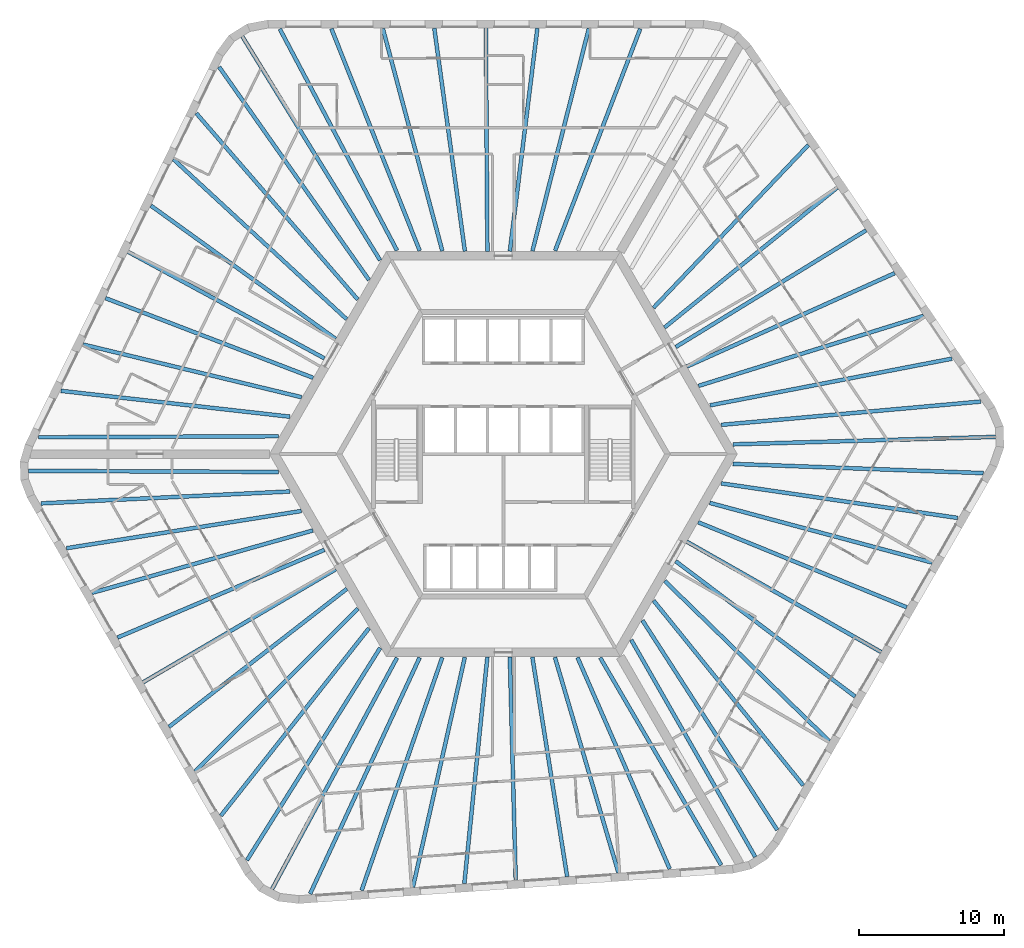
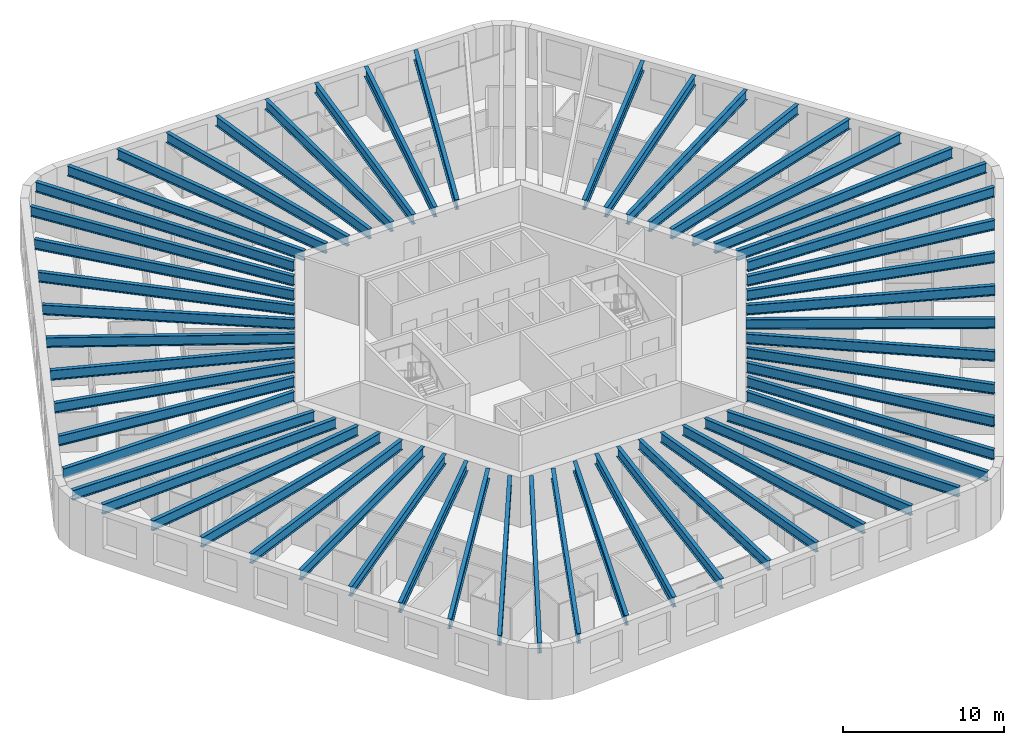
# One storey, part 1 of 12: 56 beams.
"""IFC4 building model written with IfcOpenShell, lengths in metres."""

from ifc_helpers import new_model, si_unit, direction, frame, origin, origin_2d, place, context, subcontext, project, spatial, i_section, extrude, material, material_profile, profile_set, type_object, element, save


model = new_model("IFC4")

# Units and contexts
model_context = context("Model", 3, precision=1e-05, world=origin(), true_north=direction((0.0, 1.0)))
body_context = subcontext(model_context, "Body", "Model", "MODEL_VIEW")
ifc_project = project(units=[si_unit("LENGTHUNIT", "METRE"), si_unit("AREAUNIT", "SQUARE_METRE"), si_unit("VOLUMEUNIT", "CUBIC_METRE"), si_unit("PLANEANGLEUNIT", "RADIAN"), si_unit("MASSUNIT", "GRAM", prefix="KILO")], contexts=[model_context])

# Site, building, storey
site_placement = place(None, origin())
site = spatial("IfcSite", under=ifc_project, at=site_placement, CompositionType="ELEMENT")
building_placement = place(site_placement, origin())
building = spatial("IfcBuilding", under=site, at=building_placement, Name="Tarnside Tower", CompositionType="ELEMENT")
storey_placement = place(building_placement, frame((0.0, 0.0, 53.10009765625)))
storey = spatial("IfcBuildingStorey", under=building, at=storey_placement, Name="L10", CompositionType="ELEMENT", Elevation=53.10009765625)

# Beams
ifc_material = material(Name="Steel S355", Category="steel")
ifc_material_profile_1 = material_profile(ifc_material, i_section(OverallWidth=0.26513671875, OverallDepth=0.75390625, WebThickness=0.0126953125, FlangeThickness=0.017578125, FilletRadius=0.0166015625, at=origin_2d()), Name="UB 762x267x147")
ifc_profile_set_1 = profile_set([ifc_material_profile_1], Name="Steel S355")
beam_type_1 = type_object("IfcBeamType", Name="Floor beam UB 762x267x147", PredefinedType="BEAM", material=ifc_profile_set_1)
beam_1_placement = place(storey_placement, frame((2.3525390625, 29.43017578125, 3.372802734375), z_axis=(-0.122329629165, -0.992489527314, 0.0), x_axis=(0.992489527314, -0.122329629165, 0.0)))
element("IfcBeam", 1, at=beam_1_placement, inside=storey, type_object=beam_type_1, Name="Floor beam F1.04", PredefinedType="BEAM", context=body_context, shape_type="SweptSolid", body=[
    extrude(i_section(OverallWidth=0.26513671875, OverallDepth=0.75390625, WebThickness=0.0126953125, FlangeThickness=0.017578125, FilletRadius=0.0166015625, at=origin_2d()), origin(), (0.0, 0.0, 1.0), 15.527099609375),
])
beam_2_placement = place(storey_placement, frame((-1.208984375, 29.449951171875, 3.372802734375), z_axis=(0.007000128723, -0.999975498799, 0.0), x_axis=(0.999975498799, 0.007000128723, 0.0)))
element("IfcBeam", 2, at=beam_2_placement, inside=storey, type_object=beam_type_1, Name="Floor beam F1.05", PredefinedType="BEAM", context=body_context, shape_type="SweptSolid", body=[
    extrude(i_section(OverallWidth=0.26513671875, OverallDepth=0.75390625, WebThickness=0.0126953125, FlangeThickness=0.017578125, FilletRadius=0.0166015625, at=origin_2d()), origin(), (0.0, 0.0, 1.0), 15.450439453125),
])
beam_3_placement = place(storey_placement, frame((-4.7705078125, 29.43017578125, 3.372802734375), z_axis=(0.136000560933, -0.990708760144, 0.0), x_axis=(0.990708760144, 0.136000560933, 0.0)))
element("IfcBeam", 3, at=beam_3_placement, inside=storey, type_object=beam_type_1, Name="Floor beam F1.06", PredefinedType="BEAM", context=body_context, shape_type="SweptSolid", body=[
    extrude(i_section(OverallWidth=0.26513671875, OverallDepth=0.75390625, WebThickness=0.0126953125, FlangeThickness=0.017578125, FilletRadius=0.0166015625, at=origin_2d()), origin(), (0.0, 0.0, 1.0), 15.554931640625),
])
beam_4_placement = place(storey_placement, frame((-24.348876953125, 17.168212890625, 3.372802734375), z_axis=(0.811027744825, -0.585007689799, 0.0), x_axis=(0.585007689799, 0.811027744825, 0.0)))
element("IfcBeam", 4, at=beam_4_placement, inside=storey, type_object=beam_type_1, Name="Floor beam F2.04", PredefinedType="BEAM", context=body_context, shape_type="SweptSolid", body=[
    extrude(i_section(OverallWidth=0.26513671875, OverallDepth=0.75390625, WebThickness=0.0126953125, FlangeThickness=0.017578125, FilletRadius=0.0166015625, at=origin_2d()), origin(), (0.0, 0.0, 1.0), 15.731689453125),
])
beam_5_placement = place(storey_placement, frame((-25.92626953125, 13.978271484375, 3.372802734375), z_axis=(0.878894567679, -0.477016078245, 0.0), x_axis=(0.477016078245, 0.878894567679, 0.0)))
element("IfcBeam", 5, at=beam_5_placement, inside=storey, type_object=beam_type_1, Name="Floor beam F2.05", PredefinedType="BEAM", context=body_context, shape_type="SweptSolid", body=[
    extrude(i_section(OverallWidth=0.26513671875, OverallDepth=0.75390625, WebThickness=0.0126953125, FlangeThickness=0.017578125, FilletRadius=0.0166015625, at=origin_2d()), origin(), (0.0, 0.0, 1.0), 15.427490234375),
])
beam_6_placement = place(storey_placement, frame((-27.487548828125, 10.77734375, 3.372802734375), z_axis=(0.933617702452, -0.358270827264, 0.0), x_axis=(0.358270827264, 0.933617702452, 0.0)))
element("IfcBeam", 6, at=beam_6_placement, inside=storey, type_object=beam_type_1, Name="Floor beam F2.06", PredefinedType="BEAM", context=body_context, shape_type="SweptSolid", body=[
    extrude(i_section(OverallWidth=0.26513671875, OverallDepth=0.75390625, WebThickness=0.0126953125, FlangeThickness=0.017578125, FilletRadius=0.0166015625, at=origin_2d()), origin(), (0.0, 0.0, 1.0), 15.363037109375),
])
beam_7_placement = place(storey_placement, frame((-29.029296875, 7.572509765625, 3.372802734375), z_axis=(0.972101750991, -0.234559556873, 0.0), x_axis=(0.234559556873, 0.972101750991, 0.0)))
element("IfcBeam", 7, at=beam_7_placement, inside=storey, type_object=beam_type_1, Name="Floor beam F2.07", PredefinedType="BEAM", context=body_context, shape_type="SweptSolid", body=[
    extrude(i_section(OverallWidth=0.26513671875, OverallDepth=0.75390625, WebThickness=0.0126953125, FlangeThickness=0.017578125, FilletRadius=0.0166015625, at=origin_2d()), origin(), (0.0, 0.0, 1.0), 15.522216796875),
])
beam_8_placement = place(storey_placement, frame((-26.66357421875, -12.677734375, 3.372802734375), z_axis=(0.920684021494, 0.390308765679, 0.0), x_axis=(-0.390308765679, 0.920684021494, 0.0)))
element("IfcBeam", 8, at=beam_8_placement, inside=storey, type_object=beam_type_1, Name="Floor beam F3.04", PredefinedType="BEAM", context=body_context, shape_type="SweptSolid", body=[
    extrude(i_section(OverallWidth=0.26513671875, OverallDepth=0.75390625, WebThickness=0.0126953125, FlangeThickness=0.017578125, FilletRadius=0.0166015625, at=origin_2d()), origin(), (0.0, 0.0, 1.0), 15.52685546875),
])
beam_9_placement = place(storey_placement, frame((-24.89990234375, -15.772216796875, 3.372802734375), z_axis=(0.862497502004, 0.506061319443, 0.0), x_axis=(-0.506061319443, 0.862497502004, 0.0)))
element("IfcBeam", 9, at=beam_9_placement, inside=storey, type_object=beam_type_1, Name="Floor beam F3.05", PredefinedType="BEAM", context=body_context, shape_type="SweptSolid", body=[
    extrude(i_section(OverallWidth=0.26513671875, OverallDepth=0.75390625, WebThickness=0.0126953125, FlangeThickness=0.017578125, FilletRadius=0.0166015625, at=origin_2d()), origin(), (0.0, 0.0, 1.0), 15.450439453125),
])
beam_10_placement = place(storey_placement, frame((-23.10205078125, -18.846435546875, 3.372802734375), z_axis=(0.789983963813, 0.613127504617, 0.0), x_axis=(-0.613127504617, 0.789983963813, 0.0)))
element("IfcBeam", 10, at=beam_10_placement, inside=storey, type_object=beam_type_1, Name="Floor beam F3.06", PredefinedType="BEAM", context=body_context, shape_type="SweptSolid", body=[
    extrude(i_section(OverallWidth=0.26513671875, OverallDepth=0.75390625, WebThickness=0.0126953125, FlangeThickness=0.017578125, FilletRadius=0.0166015625, at=origin_2d()), origin(), (0.0, 0.0, 1.0), 15.554931640625),
])
beam_11_placement = place(storey_placement, frame((-2.693603515625, -29.6708984375, 3.372802734375), z_axis=(0.101123115756, 0.994873919379, 0.0), x_axis=(-0.994873919379, 0.101123115756, 0.0)))
element("IfcBeam", 11, at=beam_11_placement, inside=storey, type_object=beam_type_1, Name="Floor beam F4.04", PredefinedType="BEAM", context=body_context, shape_type="SweptSolid", body=[
    extrude(i_section(OverallWidth=0.26513671875, OverallDepth=0.75390625, WebThickness=0.0126953125, FlangeThickness=0.017578125, FilletRadius=0.0166015625, at=origin_2d()), origin(), (0.0, 0.0, 1.0), 15.7314453125),
])
beam_12_placement = place(storey_placement, frame((0.857666015625, -29.44189453125, 3.372802734375), z_axis=(-0.026333316788, 0.999653218085, 0.0), x_axis=(-0.999653218085, -0.026333316788, 0.0)))
element("IfcBeam", 12, at=beam_12_placement, inside=storey, type_object=beam_type_1, Name="Floor beam F4.05", PredefinedType="BEAM", context=body_context, shape_type="SweptSolid", body=[
    extrude(i_section(OverallWidth=0.26513671875, OverallDepth=0.75390625, WebThickness=0.0126953125, FlangeThickness=0.017578125, FilletRadius=0.0166015625, at=origin_2d()), origin(), (0.0, 0.0, 1.0), 15.42724609375),
])
beam_13_placement = place(storey_placement, frame((4.41015625, -29.193603515625, 3.372802734375), z_axis=(-0.156513375907, 0.98767583911, 0.0), x_axis=(-0.98767583911, -0.156513375907, 0.0)))
element("IfcBeam", 13, at=beam_13_placement, inside=storey, type_object=beam_type_1, Name="Floor beam F4.06", PredefinedType="BEAM", context=body_context, shape_type="SweptSolid", body=[
    extrude(i_section(OverallWidth=0.26513671875, OverallDepth=0.75390625, WebThickness=0.0126953125, FlangeThickness=0.017578125, FilletRadius=0.0166015625, at=origin_2d()), origin(), (0.0, 0.0, 1.0), 15.36328125),
])
beam_14_placement = place(storey_placement, frame((7.956787109375, -28.926513671875, 3.372802734375), z_axis=(-0.282920694328, 0.959143305623, 0.0), x_axis=(-0.959143305623, -0.282920694328, 0.0)))
element("IfcBeam", 14, at=beam_14_placement, inside=storey, type_object=beam_type_1, Name="Floor beam F4.07", PredefinedType="BEAM", context=body_context, shape_type="SweptSolid", body=[
    extrude(i_section(OverallWidth=0.26513671875, OverallDepth=0.75390625, WebThickness=0.0126953125, FlangeThickness=0.017578125, FilletRadius=0.0166015625, at=origin_2d()), origin(), (0.0, 0.0, 1.0), 15.5224609375),
])
beam_15_placement = place(storey_placement, frame((24.31103515625, -16.75244140625, 3.372802734375), z_axis=(-0.798361152727, 0.602178935049, 0.0), x_axis=(-0.602178935049, -0.798361152727, 0.0)))
element("IfcBeam", 15, at=beam_15_placement, inside=storey, type_object=beam_type_1, Name="Floor beam F5.04", PredefinedType="BEAM", context=body_context, shape_type="SweptSolid", body=[
    extrude(i_section(OverallWidth=0.26513671875, OverallDepth=0.75390625, WebThickness=0.0126953125, FlangeThickness=0.017578125, FilletRadius=0.0166015625, at=origin_2d()), origin(), (0.0, 0.0, 1.0), 15.527099609375),
])
beam_16_placement = place(storey_placement, frame((26.10888671875, -13.677978515625, 3.372802734375), z_axis=(-0.869502520992, 0.493928502911, 0.0), x_axis=(-0.493928502911, -0.869502520992, 0.0)))
element("IfcBeam", 16, at=beam_16_placement, inside=storey, type_object=beam_type_1, Name="Floor beam F5.05", PredefinedType="BEAM", context=body_context, shape_type="SweptSolid", body=[
    extrude(i_section(OverallWidth=0.26513671875, OverallDepth=0.75390625, WebThickness=0.0126953125, FlangeThickness=0.017578125, FilletRadius=0.0166015625, at=origin_2d()), origin(), (0.0, 0.0, 1.0), 15.4501953125),
])
beam_17_placement = place(storey_placement, frame((27.87255859375, -10.58349609375, 3.372802734375), z_axis=(-0.925981621163, 0.377568586177, 0.0), x_axis=(-0.377568586177, -0.925981621163, 0.0)))
element("IfcBeam", 17, at=beam_17_placement, inside=storey, type_object=beam_type_1, Name="Floor beam F5.06", PredefinedType="BEAM", context=body_context, shape_type="SweptSolid", body=[
    extrude(i_section(OverallWidth=0.26513671875, OverallDepth=0.75390625, WebThickness=0.0126953125, FlangeThickness=0.017578125, FilletRadius=0.0166015625, at=origin_2d()), origin(), (0.0, 0.0, 1.0), 15.554931640625),
])
beam_18_placement = place(storey_placement, frame((27.04248046875, 12.502685546875, 3.372802734375), z_axis=(-0.912146413919, -0.409864513681, 0.0), x_axis=(0.409864513681, -0.912146413919, 0.0)))
element("IfcBeam", 18, at=beam_18_placement, inside=storey, type_object=beam_type_1, Name="Floor beam F6.04", PredefinedType="BEAM", context=body_context, shape_type="SweptSolid", body=[
    extrude(i_section(OverallWidth=0.26513671875, OverallDepth=0.75390625, WebThickness=0.0126953125, FlangeThickness=0.017578125, FilletRadius=0.0166015625, at=origin_2d()), origin(), (0.0, 0.0, 1.0), 15.7314453125),
])
beam_19_placement = place(storey_placement, frame((25.068603515625, 15.463623046875, 3.372802734375), z_axis=(-0.852558490017, -0.522631821744, 0.0), x_axis=(0.522631821744, -0.852558490017, 0.0)))
element("IfcBeam", 19, at=beam_19_placement, inside=storey, type_object=beam_type_1, Name="Floor beam F6.05", PredefinedType="BEAM", context=body_context, shape_type="SweptSolid", body=[
    extrude(i_section(OverallWidth=0.26513671875, OverallDepth=0.75390625, WebThickness=0.0126953125, FlangeThickness=0.017578125, FilletRadius=0.0166015625, at=origin_2d()), origin(), (0.0, 0.0, 1.0), 15.42724609375),
])
beam_20_placement = place(storey_placement, frame((23.0771484375, 18.416259765625, 3.372802734375), z_axis=(-0.777079423039, -0.629402550272, 0.0), x_axis=(0.629402550272, -0.777079423039, 0.0)))
element("IfcBeam", 20, at=beam_20_placement, inside=storey, type_object=beam_type_1, Name="Floor beam F6.06", PredefinedType="BEAM", context=body_context, shape_type="SweptSolid", body=[
    extrude(i_section(OverallWidth=0.26513671875, OverallDepth=0.75390625, WebThickness=0.0126953125, FlangeThickness=0.017578125, FilletRadius=0.0166015625, at=origin_2d()), origin(), (0.0, 0.0, 1.0), 15.36328125),
])
beam_21_placement = place(storey_placement, frame((21.072509765625, 21.35400390625, 3.372802734375), z_axis=(-0.689174694318, -0.724595225427, 0.0), x_axis=(0.724595225427, -0.689174694318, 0.0)))
element("IfcBeam", 21, at=beam_21_placement, inside=storey, type_object=beam_type_1, Name="Floor beam F6.07", PredefinedType="BEAM", context=body_context, shape_type="SweptSolid", body=[
    extrude(i_section(OverallWidth=0.26513671875, OverallDepth=0.75390625, WebThickness=0.0126953125, FlangeThickness=0.017578125, FilletRadius=0.0166015625, at=origin_2d()), origin(), (0.0, 0.0, 1.0), 15.522216796875),
])
ifc_material_profile_2 = material_profile(ifc_material, i_section(OverallWidth=0.2666015625, OverallDepth=0.76220703125, WebThickness=0.014404296875, FlangeThickness=0.021484375, FilletRadius=0.0166015625, at=origin_2d()), Name="UB 762x267x173")
ifc_profile_set_2 = profile_set([ifc_material_profile_2], Name="Steel S355")
beam_type_2 = type_object("IfcBeamType", Name="Floor beam UB 762x267x173", PredefinedType="BEAM", material=ifc_profile_set_2)
beam_22_placement = place(storey_placement, frame((9.4619140625, 29.39404296875, 3.368896484375), z_axis=(-0.358299847269, -0.933606565662, 0.0), x_axis=(0.933606565662, -0.358299847269, 0.0)))
element("IfcBeam", 22, at=beam_22_placement, inside=storey, type_object=beam_type_2, Name="Floor beam F1.02", PredefinedType="BEAM", context=body_context, shape_type="SweptSolid", body=[
    extrude(i_section(OverallWidth=0.2666015625, OverallDepth=0.76220703125, WebThickness=0.014404296875, FlangeThickness=0.021484375, FilletRadius=0.0166015625, at=origin_2d()), origin(), (0.0, 0.0, 1.0), 16.428955078125),
])
beam_23_placement = place(storey_placement, frame((5.909423828125, 29.4111328125, 3.368896484375), z_axis=(-0.245747281389, -0.969333933013, 0.0), x_axis=(0.969333933013, -0.245747281389, 0.0)))
element("IfcBeam", 23, at=beam_23_placement, inside=storey, type_object=beam_type_2, Name="Floor beam F1.03", PredefinedType="BEAM", context=body_context, shape_type="SweptSolid", body=[
    extrude(i_section(OverallWidth=0.2666015625, OverallDepth=0.76220703125, WebThickness=0.014404296875, FlangeThickness=0.021484375, FilletRadius=0.0166015625, at=origin_2d()), origin(), (0.0, 0.0, 1.0), 15.858642578125),
])
beam_24_placement = place(storey_placement, frame((-8.3271484375, 29.411376953125, 3.368896484375), z_axis=(0.258447478572, -0.966025310652, 0.0), x_axis=(0.966025310652, 0.258447478572, 0.0)))
element("IfcBeam", 24, at=beam_24_placement, inside=storey, type_object=beam_type_2, Name="Floor beam F1.07", PredefinedType="BEAM", context=body_context, shape_type="SweptSolid", body=[
    extrude(i_section(OverallWidth=0.2666015625, OverallDepth=0.76220703125, WebThickness=0.014404296875, FlangeThickness=0.021484375, FilletRadius=0.0166015625, at=origin_2d()), origin(), (0.0, 0.0, 1.0), 15.91357421875),
])
beam_25_placement = place(storey_placement, frame((-11.87939453125, 29.394287109375, 3.368896484375), z_axis=(0.369638204477, -0.929175762593, 0.0), x_axis=(0.929175762593, 0.369638204477, 0.0)))
element("IfcBeam", 25, at=beam_25_placement, inside=storey, type_object=beam_type_2, Name="Floor beam F1.08", PredefinedType="BEAM", context=body_context, shape_type="SweptSolid", body=[
    extrude(i_section(OverallWidth=0.2666015625, OverallDepth=0.76220703125, WebThickness=0.014404296875, FlangeThickness=0.021484375, FilletRadius=0.0166015625, at=origin_2d()), origin(), (0.0, 0.0, 1.0), 16.507568359375),
])
beam_26_placement = place(storey_placement, frame((-15.44580078125, 29.37939453125, 3.368896484375), z_axis=(0.467741993634, -0.883865050441, 0.0), x_axis=(0.883865050441, 0.467741993634, 0.0)))
element("IfcBeam", 26, at=beam_26_placement, inside=storey, type_object=beam_type_2, Name="Floor beam F1.09", PredefinedType="BEAM", context=body_context, shape_type="SweptSolid", body=[
    extrude(i_section(OverallWidth=0.2666015625, OverallDepth=0.76220703125, WebThickness=0.014404296875, FlangeThickness=0.021484375, FilletRadius=0.0166015625, at=origin_2d()), origin(), (0.0, 0.0, 1.0), 17.320068359375),
])
beam_27_placement = place(storey_placement, frame((-18.042236328125, 28.8701171875, 3.368896484375), z_axis=(0.524382977035, -0.851482526771, 0.0), x_axis=(0.851482526771, 0.524382977035, 0.0)))
element("IfcBeam", 27, at=beam_27_placement, inside=storey, type_object=beam_type_2, Name="Floor beam C1", PredefinedType="BEAM", context=body_context, shape_type="SweptSolid", body=[
    extrude(i_section(OverallWidth=0.2666015625, OverallDepth=0.76220703125, WebThickness=0.014404296875, FlangeThickness=0.021484375, FilletRadius=0.0166015625, at=origin_2d()), origin(), (0.0, 0.0, 1.0), 18.1728515625),
])
beam_28_placement = place(storey_placement, frame((-19.638671875, 26.75537109375, 3.368896484375), z_axis=(0.575411427849, -0.817864101609, 0.0), x_axis=(0.817864101609, 0.575411427849, 0.0)))
element("IfcBeam", 28, at=beam_28_placement, inside=storey, type_object=beam_type_2, Name="Floor beam F2.01", PredefinedType="BEAM", context=body_context, shape_type="SweptSolid", body=[
    extrude(i_section(OverallWidth=0.2666015625, OverallDepth=0.76220703125, WebThickness=0.014404296875, FlangeThickness=0.021484375, FilletRadius=0.0166015625, at=origin_2d()), origin(), (0.0, 0.0, 1.0), 18.00048828125),
])
beam_29_placement = place(storey_placement, frame((-21.21630859375, 23.554931640625, 3.368896484375), z_axis=(0.654980748073, -0.755645564834, 0.0), x_axis=(0.755645564834, 0.654980748073, 0.0)))
element("IfcBeam", 29, at=beam_29_placement, inside=storey, type_object=beam_type_2, Name="Floor beam F2.02", PredefinedType="BEAM", context=body_context, shape_type="SweptSolid", body=[
    extrude(i_section(OverallWidth=0.2666015625, OverallDepth=0.76220703125, WebThickness=0.014404296875, FlangeThickness=0.021484375, FilletRadius=0.0166015625, at=origin_2d()), origin(), (0.0, 0.0, 1.0), 17.0302734375),
])
beam_30_placement = place(storey_placement, frame((-22.7890625, 20.368408203125, 3.368896484375), z_axis=(0.734715474517, -0.678375391288, 0.0), x_axis=(0.678375391288, 0.734715474517, 0.0)))
element("IfcBeam", 30, at=beam_30_placement, inside=storey, type_object=beam_type_2, Name="Floor beam F2.03", PredefinedType="BEAM", context=body_context, shape_type="SweptSolid", body=[
    extrude(i_section(OverallWidth=0.2666015625, OverallDepth=0.76220703125, WebThickness=0.014404296875, FlangeThickness=0.021484375, FilletRadius=0.0166015625, at=origin_2d()), origin(), (0.0, 0.0, 1.0), 16.2802734375),
])
beam_31_placement = place(storey_placement, frame((-30.570556640625, 4.372802734375, 3.368896484375), z_axis=(0.993687302776, -0.112185312326, 0.0), x_axis=(0.112185312326, 0.993687302776, 0.0)))
element("IfcBeam", 31, at=beam_31_placement, inside=storey, type_object=beam_type_2, Name="Floor beam F2.08", PredefinedType="BEAM", context=body_context, shape_type="SweptSolid", body=[
    extrude(i_section(OverallWidth=0.2666015625, OverallDepth=0.76220703125, WebThickness=0.014404296875, FlangeThickness=0.021484375, FilletRadius=0.0166015625, at=origin_2d()), origin(), (0.0, 0.0, 1.0), 15.934326171875),
])
beam_32_placement = place(storey_placement, frame((-32.119384765625, 1.162109375, 3.368896484375), z_axis=(0.999990508787, 0.004356872304, 0.0), x_axis=(-0.004356872304, 0.999990508787, 0.0)))
element("IfcBeam", 32, at=beam_32_placement, inside=storey, type_object=beam_type_2, Name="Floor beam F2.09", PredefinedType="BEAM", context=body_context, shape_type="SweptSolid", body=[
    extrude(i_section(OverallWidth=0.2666015625, OverallDepth=0.76220703125, WebThickness=0.014404296875, FlangeThickness=0.021484375, FilletRadius=0.0166015625, at=origin_2d()), origin(), (0.0, 0.0, 1.0), 16.586669921875),
])
beam_33_placement = place(storey_placement, frame((-32.80712890625, -1.1572265625, 3.368896484375), z_axis=(0.999990027056, -0.004466070929, 0.0), x_axis=(0.004466070929, 0.999990027056, 0.0)))
element("IfcBeam", 33, at=beam_33_placement, inside=storey, type_object=beam_type_2, Name="Floor beam C2", PredefinedType="BEAM", context=body_context, shape_type="SweptSolid", body=[
    extrude(i_section(OverallWidth=0.2666015625, OverallDepth=0.76220703125, WebThickness=0.014404296875, FlangeThickness=0.021484375, FilletRadius=0.0166015625, at=origin_2d()), origin(), (0.0, 0.0, 1.0), 17.2744140625),
])
beam_34_placement = place(storey_placement, frame((-31.95703125, -3.406494140625, 3.368896484375), z_axis=(0.998853818522, 0.047864905982, 0.0), x_axis=(-0.047864905982, 0.998853818522, 0.0)))
element("IfcBeam", 34, at=beam_34_placement, inside=storey, type_object=beam_type_2, Name="Floor beam F3.01", PredefinedType="BEAM", context=body_context, shape_type="SweptSolid", body=[
    extrude(i_section(OverallWidth=0.2666015625, OverallDepth=0.76220703125, WebThickness=0.014404296875, FlangeThickness=0.021484375, FilletRadius=0.0166015625, at=origin_2d()), origin(), (0.0, 0.0, 1.0), 17.2197265625),
])
beam_35_placement = place(storey_placement, frame((-30.18701171875, -6.502685546875, 3.368896484375), z_axis=(0.987678477078, 0.156496728136, 0.0), x_axis=(-0.156496728136, 0.987678477078, 0.0)))
element("IfcBeam", 35, at=beam_35_placement, inside=storey, type_object=beam_type_2, Name="Floor beam F3.02", PredefinedType="BEAM", context=body_context, shape_type="SweptSolid", body=[
    extrude(i_section(OverallWidth=0.2666015625, OverallDepth=0.76220703125, WebThickness=0.014404296875, FlangeThickness=0.021484375, FilletRadius=0.0166015625, at=origin_2d()), origin(), (0.0, 0.0, 1.0), 16.4287109375),
])
beam_36_placement = place(storey_placement, frame((-28.425537109375, -9.587890625, 3.368896484375), z_axis=(0.962342240503, 0.271840784547, 0.0), x_axis=(-0.271840784547, 0.962342240503, 0.0)))
element("IfcBeam", 36, at=beam_36_placement, inside=storey, type_object=beam_type_2, Name="Floor beam F3.03", PredefinedType="BEAM", context=body_context, shape_type="SweptSolid", body=[
    extrude(i_section(OverallWidth=0.2666015625, OverallDepth=0.76220703125, WebThickness=0.014404296875, FlangeThickness=0.021484375, FilletRadius=0.0166015625, at=origin_2d()), origin(), (0.0, 0.0, 1.0), 15.858642578125),
])
beam_37_placement = place(storey_placement, frame((-21.307373046875, -21.917236328125, 3.368896484375), z_axis=(0.707367544857, 0.706845921318, 0.0), x_axis=(-0.706845921318, 0.707367544857, 0.0)))
element("IfcBeam", 37, at=beam_37_placement, inside=storey, type_object=beam_type_2, Name="Floor beam F3.07", PredefinedType="BEAM", context=body_context, shape_type="SweptSolid", body=[
    extrude(i_section(OverallWidth=0.2666015625, OverallDepth=0.76220703125, WebThickness=0.014404296875, FlangeThickness=0.021484375, FilletRadius=0.0166015625, at=origin_2d()), origin(), (0.0, 0.0, 1.0), 15.913330078125),
])
beam_38_placement = place(storey_placement, frame((-19.516357421875, -24.985107421875, 3.368896484375), z_axis=(0.619872995007, 0.784702153725, 0.0), x_axis=(-0.784702153725, 0.619872995007, 0.0)))
element("IfcBeam", 38, at=beam_38_placement, inside=storey, type_object=beam_type_2, Name="Floor beam F3.08", PredefinedType="BEAM", context=body_context, shape_type="SweptSolid", body=[
    extrude(i_section(OverallWidth=0.2666015625, OverallDepth=0.76220703125, WebThickness=0.014404296875, FlangeThickness=0.021484375, FilletRadius=0.0166015625, at=origin_2d()), origin(), (0.0, 0.0, 1.0), 16.507568359375),
])
beam_39_placement = place(storey_placement, frame((-17.72021484375, -28.066162109375, 3.368896484375), z_axis=(0.531583085704, 0.847006152866, 0.0), x_axis=(-0.847006152866, 0.531583085704, 0.0)))
element("IfcBeam", 39, at=beam_39_placement, inside=storey, type_object=beam_type_2, Name="Floor beam F3.09", PredefinedType="BEAM", context=body_context, shape_type="SweptSolid", body=[
    extrude(i_section(OverallWidth=0.2666015625, OverallDepth=0.76220703125, WebThickness=0.014404296875, FlangeThickness=0.021484375, FilletRadius=0.0166015625, at=origin_2d()), origin(), (0.0, 0.0, 1.0), 17.320068359375),
])
beam_40_placement = place(storey_placement, frame((-15.981201171875, -30.060302734375, 3.368896484375), z_axis=(0.475208200571, 0.879873380726, 0.0), x_axis=(-0.879873380726, 0.475208200571, 0.0)))
element("IfcBeam", 40, at=beam_40_placement, inside=storey, type_object=beam_type_2, Name="Floor beam C3", PredefinedType="BEAM", context=body_context, shape_type="SweptSolid", body=[
    extrude(i_section(OverallWidth=0.2666015625, OverallDepth=0.76220703125, WebThickness=0.014404296875, FlangeThickness=0.021484375, FilletRadius=0.0166015625, at=origin_2d()), origin(), (0.0, 0.0, 1.0), 18.173095703125),
])
beam_41_placement = place(storey_placement, frame((-13.3515625, -30.38525390625, 3.368896484375), z_axis=(0.42059199668, 0.907249895193, 0.0), x_axis=(-0.907249895193, 0.42059199668, 0.0)))
element("IfcBeam", 41, at=beam_41_placement, inside=storey, type_object=beam_type_2, Name="Floor beam F4.01", PredefinedType="BEAM", context=body_context, shape_type="SweptSolid", body=[
    extrude(i_section(OverallWidth=0.2666015625, OverallDepth=0.76220703125, WebThickness=0.014404296875, FlangeThickness=0.021484375, FilletRadius=0.0166015625, at=origin_2d()), origin(), (0.0, 0.0, 1.0), 18.000244140625),
])
beam_42_placement = place(storey_placement, frame((-9.791015625, -30.151123046875, 3.368896484375), z_axis=(0.326912128872, 0.945054739153, 0.0), x_axis=(-0.945054739153, 0.326912128872, 0.0)))
element("IfcBeam", 42, at=beam_42_placement, inside=storey, type_object=beam_type_2, Name="Floor beam F4.02", PredefinedType="BEAM", context=body_context, shape_type="SweptSolid", body=[
    extrude(i_section(OverallWidth=0.2666015625, OverallDepth=0.76220703125, WebThickness=0.014404296875, FlangeThickness=0.021484375, FilletRadius=0.0166015625, at=origin_2d()), origin(), (0.0, 0.0, 1.0), 17.0302734375),
])
beam_43_placement = place(storey_placement, frame((-6.2451171875, -29.920166015625, 3.368896484375), z_axis=(0.220139818673, 0.975468328668, 0.0), x_axis=(-0.975468328668, 0.220139818673, 0.0)))
element("IfcBeam", 43, at=beam_43_placement, inside=storey, type_object=beam_type_2, Name="Floor beam F4.03", PredefinedType="BEAM", context=body_context, shape_type="SweptSolid", body=[
    extrude(i_section(OverallWidth=0.2666015625, OverallDepth=0.76220703125, WebThickness=0.014404296875, FlangeThickness=0.021484375, FilletRadius=0.0166015625, at=origin_2d()), origin(), (0.0, 0.0, 1.0), 16.280517578125),
])
beam_44_placement = place(storey_placement, frame((11.498291015625, -28.6611328125, 3.368896484375), z_axis=(-0.399695682658, 0.916647893831, 0.0), x_axis=(-0.916647893831, -0.399695682658, 0.0)))
element("IfcBeam", 44, at=beam_44_placement, inside=storey, type_object=beam_type_2, Name="Floor beam F4.08", PredefinedType="BEAM", context=body_context, shape_type="SweptSolid", body=[
    extrude(i_section(OverallWidth=0.2666015625, OverallDepth=0.76220703125, WebThickness=0.014404296875, FlangeThickness=0.021484375, FilletRadius=0.0166015625, at=origin_2d()), origin(), (0.0, 0.0, 1.0), 15.934326171875),
])
beam_45_placement = place(storey_placement, frame((15.05322265625, -28.3974609375, 3.368896484375), z_axis=(-0.503758455062, 0.86384455717, 0.0), x_axis=(-0.86384455717, -0.503758455062, 0.0)))
element("IfcBeam", 45, at=beam_45_placement, inside=storey, type_object=beam_type_2, Name="Floor beam F4.09", PredefinedType="BEAM", context=body_context, shape_type="SweptSolid", body=[
    extrude(i_section(OverallWidth=0.2666015625, OverallDepth=0.76220703125, WebThickness=0.014404296875, FlangeThickness=0.021484375, FilletRadius=0.0166015625, at=origin_2d()), origin(), (0.0, 0.0, 1.0), 16.586669921875),
])
beam_46_placement = place(storey_placement, frame((17.40576171875, -27.833251953125, 3.368896484375), z_axis=(-0.496126762138, 0.868250099851, 0.0), x_axis=(-0.868250099851, -0.496126762138, 0.0)))
element("IfcBeam", 46, at=beam_46_placement, inside=storey, type_object=beam_type_2, Name="Floor beam C4", PredefinedType="BEAM", context=body_context, shape_type="SweptSolid", body=[
    extrude(i_section(OverallWidth=0.2666015625, OverallDepth=0.76220703125, WebThickness=0.014404296875, FlangeThickness=0.021484375, FilletRadius=0.0166015625, at=origin_2d()), origin(), (0.0, 0.0, 1.0), 17.2744140625),
])
beam_47_placement = place(storey_placement, frame((18.9287109375, -25.972412109375, 3.368896484375), z_axis=(-0.540872954463, 0.841104302171, 0.0), x_axis=(-0.841104302171, -0.540872954463, 0.0)))
element("IfcBeam", 47, at=beam_47_placement, inside=storey, type_object=beam_type_2, Name="Floor beam F5.01", PredefinedType="BEAM", context=body_context, shape_type="SweptSolid", body=[
    extrude(i_section(OverallWidth=0.2666015625, OverallDepth=0.76220703125, WebThickness=0.014404296875, FlangeThickness=0.021484375, FilletRadius=0.0166015625, at=origin_2d()), origin(), (0.0, 0.0, 1.0), 17.2197265625),
])
beam_48_placement = place(storey_placement, frame((20.72509765625, -22.89111328125, 3.368896484375), z_axis=(-0.62939015525, 0.777089462336, 0.0), x_axis=(-0.777089462336, -0.62939015525, 0.0)))
element("IfcBeam", 48, at=beam_48_placement, inside=storey, type_object=beam_type_2, Name="Floor beam F5.02", PredefinedType="BEAM", context=body_context, shape_type="SweptSolid", body=[
    extrude(i_section(OverallWidth=0.2666015625, OverallDepth=0.76220703125, WebThickness=0.014404296875, FlangeThickness=0.021484375, FilletRadius=0.0166015625, at=origin_2d()), origin(), (0.0, 0.0, 1.0), 16.4287109375),
])
beam_49_placement = place(storey_placement, frame((22.51611328125, -19.8232421875, 3.368896484375), z_axis=(-0.716594696052, 0.697489814686, 0.0), x_axis=(-0.697489814686, -0.716594696052, 0.0)))
element("IfcBeam", 49, at=beam_49_placement, inside=storey, type_object=beam_type_2, Name="Floor beam F5.03", PredefinedType="BEAM", context=body_context, shape_type="SweptSolid", body=[
    extrude(i_section(OverallWidth=0.2666015625, OverallDepth=0.76220703125, WebThickness=0.014404296875, FlangeThickness=0.021484375, FilletRadius=0.0166015625, at=origin_2d()), origin(), (0.0, 0.0, 1.0), 15.858642578125),
])
beam_50_placement = place(storey_placement, frame((29.634521484375, -7.494140625, 3.368896484375), z_axis=(-0.965827851395, 0.259184415946, 0.0), x_axis=(-0.259184415946, -0.965827851395, 0.0)))
element("IfcBeam", 50, at=beam_50_placement, inside=storey, type_object=beam_type_2, Name="Floor beam F5.07", PredefinedType="BEAM", context=body_context, shape_type="SweptSolid", body=[
    extrude(i_section(OverallWidth=0.2666015625, OverallDepth=0.76220703125, WebThickness=0.014404296875, FlangeThickness=0.021484375, FilletRadius=0.0166015625, at=origin_2d()), origin(), (0.0, 0.0, 1.0), 15.913330078125),
])
beam_51_placement = place(storey_placement, frame((31.39599609375, -4.4091796875, 3.368896484375), z_axis=(-0.989507887412, 0.144478859177, 0.0), x_axis=(-0.144478859177, -0.989507887412, 0.0)))
element("IfcBeam", 51, at=beam_51_placement, inside=storey, type_object=beam_type_2, Name="Floor beam F5.08", PredefinedType="BEAM", context=body_context, shape_type="SweptSolid", body=[
    extrude(i_section(OverallWidth=0.2666015625, OverallDepth=0.76220703125, WebThickness=0.014404296875, FlangeThickness=0.021484375, FilletRadius=0.0166015625, at=origin_2d()), origin(), (0.0, 0.0, 1.0), 16.507568359375),
])
beam_52_placement = place(storey_placement, frame((33.166259765625, -1.31298828125, 3.368896484375), z_axis=(-0.999320941149, 0.036846391708, 0.0), x_axis=(-0.036846391708, -0.999320941149, 0.0)))
element("IfcBeam", 52, at=beam_52_placement, inside=storey, type_object=beam_type_2, Name="Floor beam F5.09", PredefinedType="BEAM", context=body_context, shape_type="SweptSolid", body=[
    extrude(i_section(OverallWidth=0.2666015625, OverallDepth=0.76220703125, WebThickness=0.014404296875, FlangeThickness=0.021484375, FilletRadius=0.0166015625, at=origin_2d()), origin(), (0.0, 0.0, 1.0), 17.320068359375),
])
beam_53_placement = place(storey_placement, frame((34.0234375, 1.18994140625, 3.368896484375), z_axis=(-0.999597013499, -0.028386803343, 0.0), x_axis=(0.028386803343, -0.999597013499, 0.0)))
element("IfcBeam", 53, at=beam_53_placement, inside=storey, type_object=beam_type_2, Name="Floor beam C5", PredefinedType="BEAM", context=body_context, shape_type="SweptSolid", body=[
    extrude(i_section(OverallWidth=0.2666015625, OverallDepth=0.76220703125, WebThickness=0.014404296875, FlangeThickness=0.021484375, FilletRadius=0.0166015625, at=origin_2d()), origin(), (0.0, 0.0, 1.0), 18.1728515625),
])
beam_54_placement = place(storey_placement, frame((32.990234375, 3.6298828125, 3.368896484375), z_axis=(-0.995997485142, -0.089381259731, 0.0), x_axis=(0.089381259731, -0.995997485142, 0.0)))
element("IfcBeam", 54, at=beam_54_placement, inside=storey, type_object=beam_type_2, Name="Floor beam F6.01", PredefinedType="BEAM", context=body_context, shape_type="SweptSolid", body=[
    extrude(i_section(OverallWidth=0.2666015625, OverallDepth=0.76220703125, WebThickness=0.014404296875, FlangeThickness=0.021484375, FilletRadius=0.0166015625, at=origin_2d()), origin(), (0.0, 0.0, 1.0), 18.000244140625),
])
beam_55_placement = place(storey_placement, frame((31.007080078125, 6.596435546875, 3.368896484375), z_axis=(-0.981896564922, -0.189417886679, 0.0), x_axis=(0.189417886679, -0.981896564922, 0.0)))
element("IfcBeam", 55, at=beam_55_placement, inside=storey, type_object=beam_type_2, Name="Floor beam F6.02", PredefinedType="BEAM", context=body_context, shape_type="SweptSolid", body=[
    extrude(i_section(OverallWidth=0.2666015625, OverallDepth=0.76220703125, WebThickness=0.014404296875, FlangeThickness=0.021484375, FilletRadius=0.0166015625, at=origin_2d()), origin(), (0.0, 0.0, 1.0), 17.0302734375),
])
beam_56_placement = place(storey_placement, frame((29.0341796875, 9.5517578125, 3.368896484375), z_axis=(-0.954846945108, -0.297098151152, 0.0), x_axis=(0.297098151152, -0.954846945108, 0.0)))
element("IfcBeam", 56, at=beam_56_placement, inside=storey, type_object=beam_type_2, Name="Floor beam F6.03", PredefinedType="BEAM", context=body_context, shape_type="SweptSolid", body=[
    extrude(i_section(OverallWidth=0.2666015625, OverallDepth=0.76220703125, WebThickness=0.014404296875, FlangeThickness=0.021484375, FilletRadius=0.0166015625, at=origin_2d()), origin(), (0.0, 0.0, 1.0), 16.280517578125),
])

save(model, "model.ifc")
